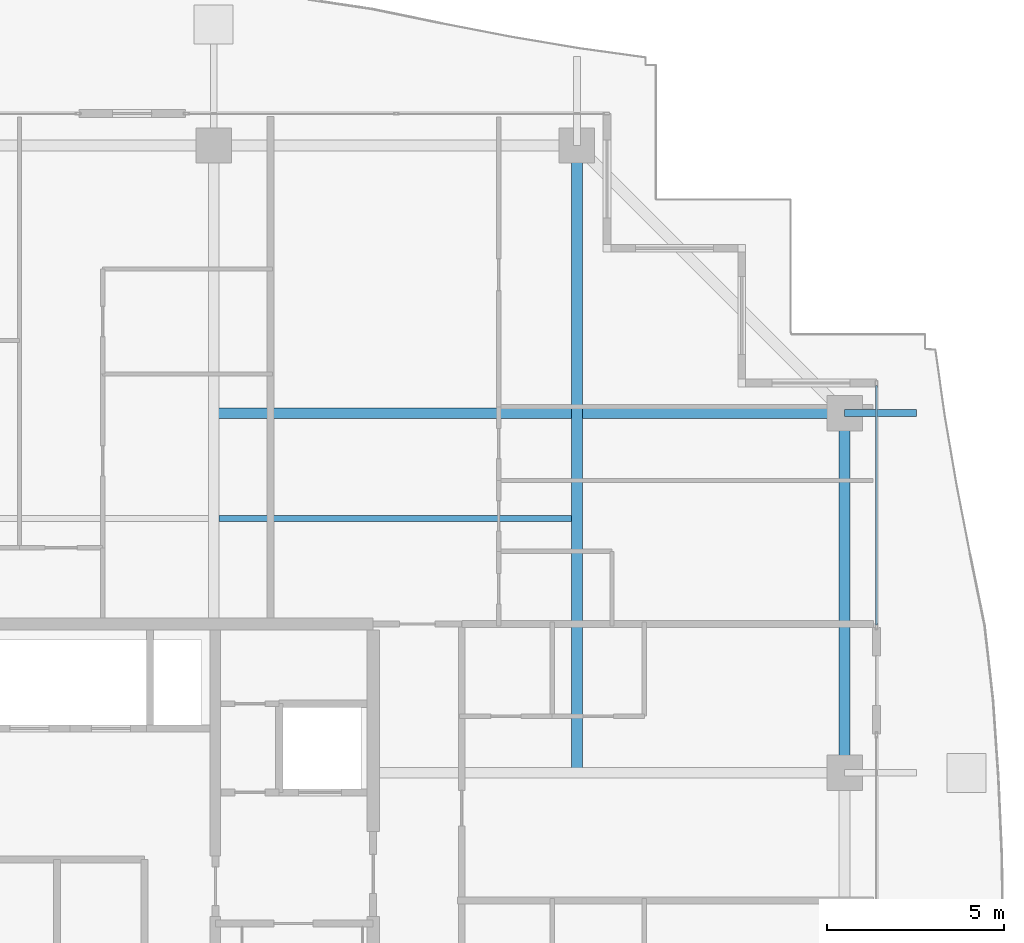
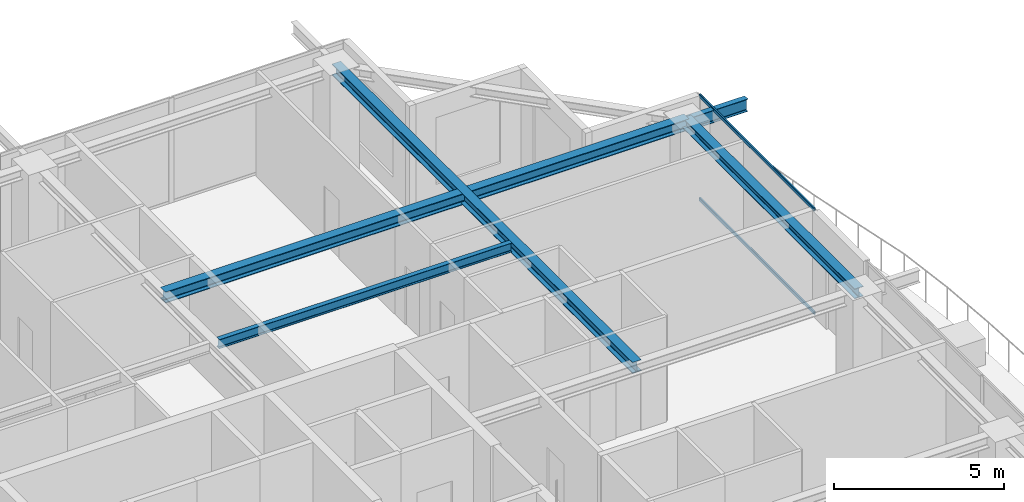
# One storey, part 24 of 40: 5 beams, 2 members, 1 element without a shape of its own.
"""IFC4 building model written with IfcOpenShell, lengths in metres."""

from ifc_helpers import new_model, si_unit, direction, frame, origin, origin_2d, place, context, subcontext, project, spatial, hollow_rectangle, i_section, extrude, source, transform, mapped, material, layer, layer_set, material_profile, profile_set, type_object, element, aggregate, save


model = new_model("IFC4")

# Units and contexts
model_context = context("Model", 3, precision=1e-05, world=origin(), true_north=direction((0.0, 1.0)))
body_context = subcontext(model_context, "Body", "Model", "MODEL_VIEW")
ifc_project = project(units=[si_unit("LENGTHUNIT", "METRE"), si_unit("AREAUNIT", "SQUARE_METRE"), si_unit("VOLUMEUNIT", "CUBIC_METRE"), si_unit("PLANEANGLEUNIT", "RADIAN"), si_unit("MASSUNIT", "GRAM", prefix="KILO")], contexts=[model_context])

# Site, building, storey
site_placement = place(None, origin())
site = spatial("IfcSite", under=ifc_project, at=site_placement, CompositionType="ELEMENT")
building_placement = place(site_placement, origin())
building = spatial("IfcBuilding", under=site, at=building_placement, Name="Serunith Strait Residences", CompositionType="ELEMENT")
storey_placement = place(building_placement, frame((0.0, 0.0, 313.699951171875)))
storey = spatial("IfcBuildingStorey", under=building, at=storey_placement, Name="L78", CompositionType="ELEMENT", Elevation=313.699951171875)

# Beams
ifc_material_1 = material(Name="Steel S355J2", Category="steel")
ifc_material_profile_1 = material_profile(ifc_material_1, i_section(OverallWidth=0.159912109375, OverallDepth=0.330078125, WebThickness=0.007568359375, FlangeThickness=0.011474609375, FilletRadius=0.01806640625, at=origin_2d()), Name="IPE 330")
ifc_profile_set_1 = profile_set([ifc_material_profile_1], Name="Steel S355J2")
beam_type_1 = type_object("IfcBeamType", Name="BM-IPE330", PredefinedType="JOIST", material=ifc_profile_set_1)
shared_shape_1 = source(origin(), body_context, "Body", "SweptSolid", [
    extrude(i_section(OverallWidth=0.159912109375, OverallDepth=0.330078125, WebThickness=0.007568359375, FlangeThickness=0.011474609375, FilletRadius=0.01806640625, at=origin_2d()), origin(), (0.0, 0.0, 1.0), 9.949951171875),
])
beam_1_placement = place(storey_placement, frame((37.050048828125, 36.574951171875, 3.6220703125), z_axis=(1.0, 0.0, 0.0), x_axis=(0.0, 1.0, 0.0)))
element("IfcBeam", 1, at=beam_1_placement, inside=storey, type_object=beam_type_1, Name="L78 Composite Floor Joist 06", PredefinedType="JOIST", context=body_context, shape_type="MappedRepresentation", body=[
    mapped(shared_shape_1, transform((0.0, 0.0, 0.0), scale=1.0)),
])
ifc_material_profile_2 = material_profile(ifc_material_1, i_section(OverallWidth=0.300048828125, OverallDepth=0.39990234375, WebThickness=0.013427734375, FlangeThickness=0.02392578125, FilletRadius=0.027099609375, at=origin_2d()), Name="HEB 400")
ifc_profile_set_2 = profile_set([ifc_material_profile_2], Name="Steel S355J2")
beam_type_2 = type_object("IfcBeamType", Name="BM-HEB400", PredefinedType="BEAM", material=ifc_profile_set_2)
shared_shape_2 = source(origin(), body_context, "Body", "SweptSolid", [
    extrude(i_section(OverallWidth=0.300048828125, OverallDepth=0.39990234375, WebThickness=0.013427734375, FlangeThickness=0.02392578125, FilletRadius=0.027099609375, at=origin_2d()), origin(), (0.0, 0.0, 1.0), 17.7001953125),
])
beam_2_placement = place(storey_placement, frame((47.14990234375, 29.39990234375, 3.587158203125), z_axis=(0.0, 1.0, 0.0), x_axis=(-1.0, 0.0, 0.0)))
element("IfcBeam", 2, at=beam_2_placement, inside=storey, type_object=beam_type_2, Name="L78 Orthogonal Corner Girder TC-N4", PredefinedType="BEAM", context=body_context, shape_type="MappedRepresentation", body=[
    mapped(shared_shape_2, transform((0.0, 0.0, 0.0), scale=1.0)),
])
shared_shape_3 = source(origin(), body_context, "Body", "SweptSolid", [
    extrude(i_section(OverallWidth=0.300048828125, OverallDepth=0.39990234375, WebThickness=0.013427734375, FlangeThickness=0.02392578125, FilletRadius=0.027099609375, at=origin_2d()), origin(), (0.0, 0.0, 1.0), 17.800048828125),
])
beam_3_placement = place(storey_placement, frame((36.89990234375, 39.550048828125, 3.587158203125), z_axis=(1.0, 0.0, 0.0), x_axis=(0.0, 1.0, 0.0)))
element("IfcBeam", 3, at=beam_3_placement, inside=storey, type_object=beam_type_2, Name="L78 Orthogonal Corner Girder TC-E4", PredefinedType="BEAM", context=body_context, shape_type="MappedRepresentation", body=[
    mapped(shared_shape_3, transform((0.0, 0.0, 0.0), scale=1.0)),
])
ifc_material_profile_3 = material_profile(ifc_material_1, i_section(OverallWidth=0.300048828125, OverallDepth=0.360107421875, WebThickness=0.012451171875, FlangeThickness=0.0224609375, FilletRadius=0.027099609375, at=origin_2d()), Name="HEB 360")
ifc_profile_set_3 = profile_set([ifc_material_profile_3], Name="Steel S355J2")
beam_type_3 = type_object("IfcBeamType", Name="BM-HEB360", PredefinedType="BEAM", material=ifc_profile_set_3)
shared_shape_4 = source(origin(), body_context, "Body", "SweptSolid", [
    extrude(i_section(OverallWidth=0.300048828125, OverallDepth=0.360107421875, WebThickness=0.012451171875, FlangeThickness=0.0224609375, FilletRadius=0.027099609375, at=origin_2d()), origin(), (0.0, 0.0, 1.0), 10.150146484375),
])
beam_4_placement = place(storey_placement, frame((54.699951171875, 29.39990234375, 3.60693359375), z_axis=(0.0, 1.0, 0.0), x_axis=(-1.0, 0.0, 0.0)))
element("IfcBeam", 4, at=beam_4_placement, inside=storey, type_object=beam_type_3, Name="L78 Perimeter Ring Beam 07", PredefinedType="BEAM", context=body_context, shape_type="MappedRepresentation", body=[
    mapped(shared_shape_4, transform((0.0, 0.0, 0.0), scale=1.0)),
])
ifc_material_profile_4 = material_profile(ifc_material_1, i_section(OverallWidth=0.18994140625, OverallDepth=0.449951171875, WebThickness=0.009521484375, FlangeThickness=0.0146484375, FilletRadius=0.02099609375, at=origin_2d()), Name="IPE 450")
ifc_profile_set_4 = profile_set([ifc_material_profile_4], Name="Steel S355J2")
beam_type_4 = type_object("IfcBeamType", Name="BM-IPE450", PredefinedType="JOIST", material=ifc_profile_set_4)
shared_shape_5 = source(origin(), body_context, "Body", "SweptSolid", [
    extrude(i_section(OverallWidth=0.18994140625, OverallDepth=0.449951171875, WebThickness=0.009521484375, FlangeThickness=0.0146484375, FilletRadius=0.02099609375, at=origin_2d()), origin(), (0.0, 0.0, 1.0), 2.030029296875),
])
beam_5_placement = place(storey_placement, frame((54.699951171875, 39.550048828125, 3.531982421875), z_axis=(1.0, 0.0, 0.0), x_axis=(0.0, 1.0, 0.0)))
element("IfcBeam", 5, at=beam_5_placement, inside=storey, type_object=beam_type_4, Name="L79 Cantilevered Balcony Rib TC-E4", PredefinedType="JOIST", context=body_context, shape_type="MappedRepresentation", body=[
    mapped(shared_shape_5, transform((0.0, 0.0, 0.0), scale=1.0)),
])

# Curtain wall, members
ifc_material_2 = material(Name="Brushed Stainless-Silver Aluminium", Category="aluminium")
ifc_layer = layer(ifc_material_2, 0.199951171875, Name="Brushed Stainless-Silver Aluminium")
ifc_layer_set = layer_set([ifc_layer], Name="Brushed Stainless-Silver Aluminium")
curtain_wall_type = type_object("IfcCurtainWallType", Name="CW-SYS5", PredefinedType="NOTDEFINED", material=ifc_layer_set)
curtain_wall_placement = place(storey_placement, origin())
curtain_wall = element("IfcCurtainWall", 6, at=curtain_wall_placement, inside=storey, type_object=curtain_wall_type, Name="L78 E Unitised Fritted Curtain Wall", PredefinedType="NOTDEFINED")
ifc_material_profile_5 = material_profile(ifc_material_2, hollow_rectangle(XDim=0.06005859375, YDim=0.1201171875, WallThickness=0.00341796875, InnerFilletRadius=0.00537109375, OuterFilletRadius=0.0087890625, at=origin_2d()), Name="ALU 120x60x3.5")
ifc_profile_set_5 = profile_set([ifc_material_profile_5], Name="Brushed Stainless-Silver Aluminium")
member_type = type_object("IfcMemberType", Name="CW-SYS5-TRAN", PredefinedType="USERDEFINED", material=ifc_profile_set_5)
shared_shape_6 = source(origin(), body_context, "Body", "SweptSolid", [
    extrude(hollow_rectangle(XDim=0.06005859375, YDim=0.1201171875, WallThickness=0.00341796875, InnerFilletRadius=0.00537109375, OuterFilletRadius=0.0087890625, at=origin_2d()), origin(), (0.0, 0.0, 1.0), 6.77001953125),
])
member_1_placement = place(storey_placement, frame((55.60009765625, 33.56494140625, 0.030029296875), z_axis=(0.0, 1.0, 0.0), x_axis=(-1.0, 0.0, 0.0)))
member_1 = element("IfcMember", 7, at=member_1_placement, type_object=member_type, Name="CW-5 transom 1.1", ObjectType="TRANSOM", PredefinedType="USERDEFINED", context=body_context, shape_type="MappedRepresentation", body=[
    mapped(shared_shape_6, transform((0.0, 0.0, 0.0), scale=1.0)),
])
member_2_placement = place(storey_placement, frame((55.60009765625, 33.56494140625, 3.7451171875), z_axis=(0.0, 1.0, 0.0), x_axis=(-1.0, 0.0, 0.0)))
member_2 = element("IfcMember", 8, at=member_2_placement, type_object=member_type, Name="CW-5 transom 1.2", ObjectType="TRANSOM", PredefinedType="USERDEFINED", context=body_context, shape_type="MappedRepresentation", body=[
    mapped(shared_shape_6, transform((0.0, 0.0, 0.0), scale=1.0)),
])
aggregate(curtain_wall, [member_1, member_2])

save(model, "model.ifc")
